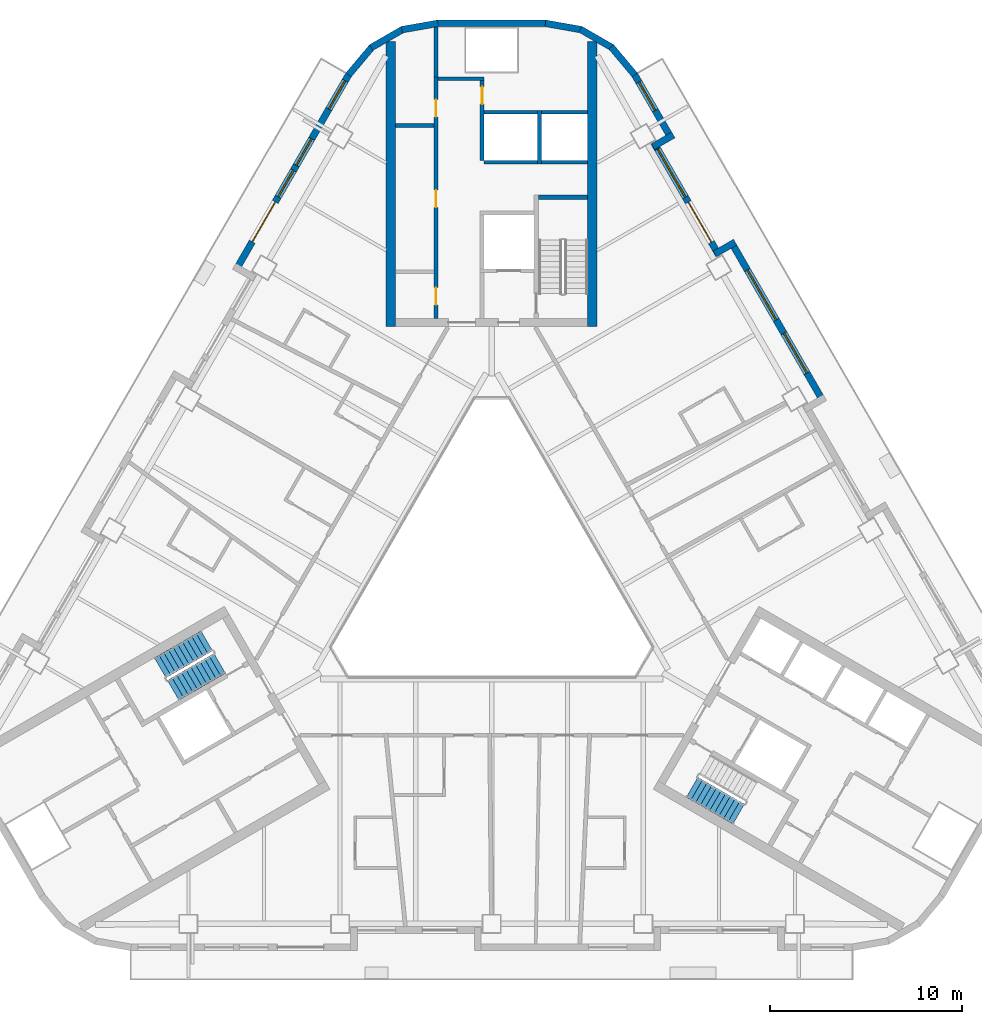
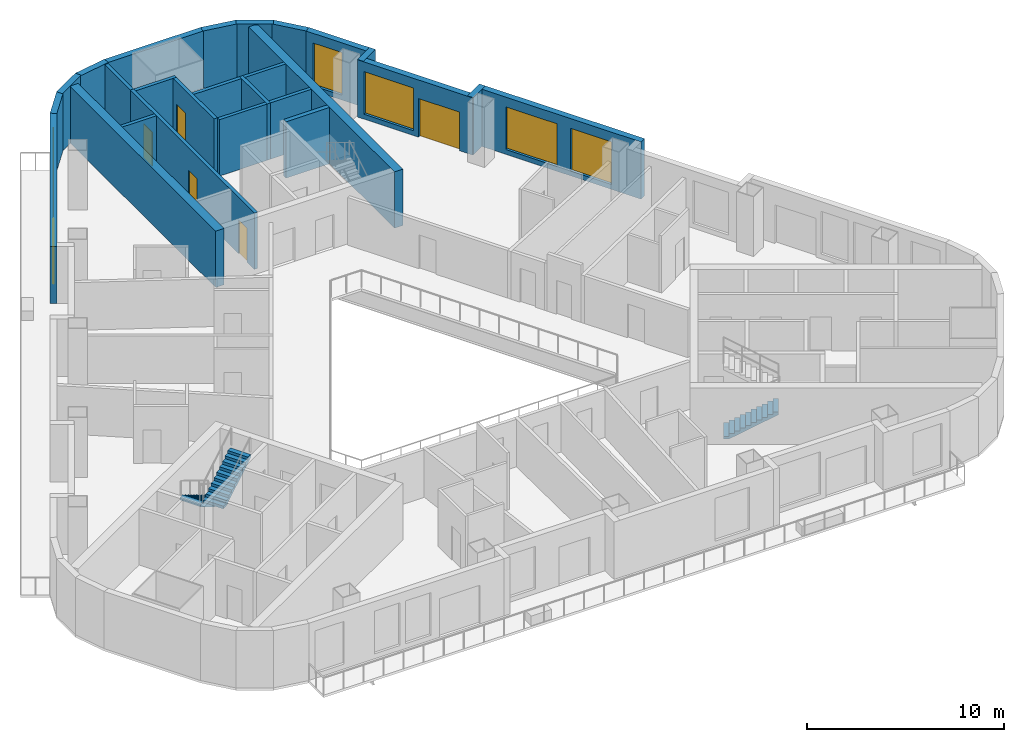
# One storey, part 7 of 14: 26 walls, 7 windows, 6 doors, 3 stair flights, 13 openings, 2 elements without a shape of their own.
"""IFC4 building model written with IfcOpenShell, lengths in metres."""

from ifc_helpers import new_model, si_unit, direction, frame, frame_2d, origin, place, context, subcontext, project, spatial, polyline, rectangle, outline, extrude, material, layer, layer_set, type_object, element, fill, aggregate, save


model = new_model("IFC4")

# Units and contexts
model_context = context("Model", 3, precision=1e-05, world=origin(), true_north=direction((0.0, 1.0)))
body_context = subcontext(model_context, "Body", "Model", "MODEL_VIEW")
ifc_project = project(units=[si_unit("LENGTHUNIT", "METRE"), si_unit("AREAUNIT", "SQUARE_METRE"), si_unit("VOLUMEUNIT", "CUBIC_METRE"), si_unit("PLANEANGLEUNIT", "RADIAN"), si_unit("MASSUNIT", "GRAM", prefix="KILO")], contexts=[model_context])

# Site, building, storey
site_placement = place(None, origin())
site = spatial("IfcSite", under=ifc_project, at=site_placement, CompositionType="ELEMENT")
building_placement = place(site_placement, origin())
building = spatial("IfcBuilding", under=site, at=building_placement, Name="Apuvela Tower Hotel", CompositionType="ELEMENT")
storey_placement = place(building_placement, frame((0.0, 0.0, 72.39990234375)))
storey = spatial("IfcBuildingStorey", under=building, at=storey_placement, Name="L15", CompositionType="ELEMENT", Elevation=72.39990234375)

# Walls
ifc_material_1 = material(Name="Concrete C50/60", Category="concrete")
ifc_layer_1 = layer(ifc_material_1, 0.5)
ifc_layer_set_1 = layer_set([ifc_layer_1], Name="COR-WALL-CORE-500")
wall_type_1 = type_object("IfcWallType", Name="COR-WALL-CORE-500", PredefinedType="SHEAR", material=ifc_layer_set_1)
for number, where, z_axis, x_axis, name in (
    (1, (5.25, 12.89990234375, 0.0), (0.0, 0.0, 1.0), (0.0, 1.0, 0.0), "Core wall N"),
    (2, (-5.25, 12.89990234375, 0.0), (0.0, 0.0, 1.0), (0.0, 1.0, 0.0), "Core wall N"),
):
    element("IfcWall", number, at=place(storey_placement, frame(where, z_axis=z_axis, x_axis=x_axis)), inside=storey, type_object=wall_type_1, Name=name, PredefinedType="SHEAR", context=body_context, shape_type="SweptSolid", body=[
        extrude(rectangle(XDim=14.8369140625, YDim=0.5, at=frame_2d((7.41845703125, 0.0))), origin(), (0.0, 0.0, 1.0), 3.5),
    ])
ifc_material_2 = material(Name="Blockwork 200 mm plastered", Category="masonry")
ifc_layer_2 = layer(ifc_material_2, 0.199951171875)
ifc_layer_set_2 = layer_set([ifc_layer_2], Name="COR-WALL-PART-200")
wall_type_2 = type_object("IfcWallType", Name="COR-WALL-PART-200", PredefinedType="PARTITIONING", material=ifc_layer_set_2)
wall_1_placement = place(storey_placement, frame((5.0, 21.449951171875, 0.0), z_axis=(0.0, 0.0, 1.0), x_axis=(-1.0, 0.0, 0.0)))
element("IfcWall", 3, at=wall_1_placement, inside=storey, type_object=wall_type_2, Name="Partition N", PredefinedType="PARTITIONING", context=body_context, shape_type="SweptSolid", body=[
    extrude(rectangle(XDim=2.39990234375, YDim=0.199951171875, at=frame_2d((1.199951171875, 0.0))), origin(), (0.0, 0.0, 1.0), 3.5),
])
wall_2_placement = place(storey_placement, frame((2.39990234375, 21.449951171875, 0.0), z_axis=(0.0, 0.0, 1.0), x_axis=(-1.0, 0.0, 0.0)))
element("IfcWall", 4, at=wall_2_placement, inside=storey, type_object=wall_type_2, Name="Partition N", PredefinedType="PARTITIONING", context=body_context, shape_type="SweptSolid", body=[
    extrude(rectangle(XDim=2.7998046875, YDim=0.199951171875, at=frame_2d((1.39990234375, 0.0))), origin(), (0.0, 0.0, 1.0), 3.5),
])

# Wall, openings, doors
ifc_layer_3 = layer(ifc_material_1, 0.199951171875)
ifc_layer_set_3 = layer_set([ifc_layer_3], Name="COR-WALL-SHAFT-200")
wall_type_3 = type_object("IfcWallType", Name="COR-WALL-SHAFT-200", PredefinedType="SHEAR", material=ifc_layer_set_3)
wall_3_placement = place(storey_placement, frame((-2.89990234375, 13.300048828125, 0.0), z_axis=(0.0, 0.0, 1.0), x_axis=(0.0, 1.0, 0.0)))
wall_3 = element("IfcWall", 5, at=wall_3_placement, inside=storey, type_object=wall_type_3, Name="Shaft wall N", PredefinedType="SHEAR", context=body_context, shape_type="SweptSolid", body=[
    extrude(rectangle(XDim=12.599853515625, YDim=0.199951171875, at=frame_2d((6.2998046875, 0.0))), origin(), (0.0, 0.0, 1.0), 3.5),
])
opening_1_placement = place(wall_3_placement, frame((0.719970703125, 0.0, 0.0)))
opening_1 = element("IfcOpeningElement", 6, at=opening_1_placement, cuts=wall_3, Name="Opening N-RE1", PredefinedType="OPENING", context=body_context, shape_type="SweptSolid", body=[
    extrude(rectangle(XDim=0.89990234375, YDim=2.10009765625, at=frame_2d((0.449951171875, 1.050048828125))), frame((0.0, 0.10986328125, 0.0), z_axis=(0.0, -1.0, 0.0), x_axis=(1.0, 0.0, 0.0)), (0.0, 0.0, 1.0), 0.219970703125),
])
opening_2_placement = place(wall_3_placement, frame((5.800048828125, 0.0, 0.0)))
opening_2 = element("IfcOpeningElement", 7, at=opening_2_placement, cuts=wall_3, Name="Opening N-RE2", PredefinedType="OPENING", context=body_context, shape_type="SweptSolid", body=[
    extrude(rectangle(XDim=0.89990234375, YDim=2.10009765625, at=frame_2d((0.449951171875, 1.050048828125))), frame((0.0, 0.10986328125, 0.0), z_axis=(0.0, -1.0, 0.0), x_axis=(1.0, 0.0, 0.0)), (0.0, 0.0, 1.0), 0.219970703125),
])
opening_3_placement = place(wall_3_placement, frame((10.510009765625, 0.0, 0.0)))
opening_3 = element("IfcOpeningElement", 8, at=opening_3_placement, cuts=wall_3, Name="Opening N-REP", PredefinedType="OPENING", context=body_context, shape_type="SweptSolid", body=[
    extrude(rectangle(XDim=0.89990234375, YDim=2.10009765625, at=frame_2d((0.449951171875, 1.050048828125))), frame((0.0, 0.10986328125, 0.0), z_axis=(0.0, -1.0, 0.0), x_axis=(1.0, 0.0, 0.0)), (0.0, 0.0, 1.0), 0.219970703125),
])
ifc_material_3 = material(Name="Steel fire door, powder coated", Category="steel")
door_type_1 = type_object("IfcDoorType", Name="COR-DR-900", OperationType="NOTDEFINED", PredefinedType="DOOR", material=ifc_material_3)
door_1_placement = place(opening_1_placement, origin())
door_1 = element("IfcDoor", 9, at=door_1_placement, inside=storey, type_object=door_type_1, Name="Store door N-RE1", OperationType="SINGLE_SWING_LEFT", OverallHeight=2.10009765625, OverallWidth=0.89990234375, PredefinedType="DOOR", context=body_context, shape_type="SweptSolid", body=[
    extrude(rectangle(XDim=0.89990234375, YDim=2.10009765625, at=frame_2d((0.449951171875, 1.050048828125))), frame((0.0, 0.02490234375, 0.0), z_axis=(0.0, -1.0, 0.0), x_axis=(1.0, 0.0, 0.0)), (0.0, 0.0, 1.0), 0.050048828125),
])
fill(opening_1, door_1)
door_2_placement = place(opening_2_placement, origin())
door_2 = element("IfcDoor", 10, at=door_2_placement, inside=storey, type_object=door_type_1, Name="Store door N-RE2", OperationType="SINGLE_SWING_RIGHT", OverallHeight=2.10009765625, OverallWidth=0.89990234375, PredefinedType="DOOR", context=body_context, shape_type="SweptSolid", body=[
    extrude(rectangle(XDim=0.89990234375, YDim=2.10009765625, at=frame_2d((0.449951171875, 1.050048828125))), frame((0.0, 0.02490234375, 0.0), z_axis=(0.0, -1.0, 0.0), x_axis=(1.0, 0.0, 0.0)), (0.0, 0.0, 1.0), 0.050048828125),
])
fill(opening_2, door_2)
door_3_placement = place(opening_3_placement, origin())
door_3 = element("IfcDoor", 11, at=door_3_placement, inside=storey, type_object=door_type_1, Name="Store door N-REP", OperationType="SINGLE_SWING_RIGHT", OverallHeight=2.10009765625, OverallWidth=0.89990234375, PredefinedType="DOOR", context=body_context, shape_type="SweptSolid", body=[
    extrude(rectangle(XDim=0.89990234375, YDim=2.10009765625, at=frame_2d((0.449951171875, 1.050048828125))), frame((0.0, 0.02490234375, 0.0), z_axis=(0.0, -1.0, 0.0), x_axis=(1.0, 0.0, 0.0)), (0.0, 0.0, 1.0), 0.050048828125),
])
fill(opening_3, door_3)

# Wall
wall_4_placement = place(storey_placement, frame((-0.39990234375, 25.800048828125, 0.0), z_axis=(0.0, 0.0, 1.0), x_axis=(-1.0, 0.0, 0.0)))
element("IfcWall", 12, at=wall_4_placement, inside=storey, type_object=wall_type_3, Name="Shaft wall N", PredefinedType="SHEAR", context=body_context, shape_type="SweptSolid", body=[
    extrude(rectangle(XDim=2.400146484375, YDim=0.199951171875, at=frame_2d((1.2001953125, 0.0))), origin(), (0.0, 0.0, 1.0), 3.5),
])

# Wall, opening, door
wall_5_placement = place(storey_placement, frame((-0.5, 21.550048828125, 0.0), z_axis=(0.0, 0.0, 1.0), x_axis=(0.0, 1.0, 0.0)))
wall_5 = element("IfcWall", 13, at=wall_5_placement, inside=storey, type_object=wall_type_3, Name="Shaft wall N", PredefinedType="SHEAR", context=body_context, shape_type="SweptSolid", body=[
    extrude(rectangle(XDim=4.14990234375, YDim=0.199951171875, at=frame_2d((2.074951171875, 0.0))), origin(), (0.0, 0.0, 1.0), 3.5),
])
opening_4_placement = place(wall_5_placement, frame((2.925048828125, 0.0, 0.0)))
opening_4 = element("IfcOpeningElement", 14, at=opening_4_placement, cuts=wall_5, Name="Opening N-RSP", PredefinedType="OPENING", context=body_context, shape_type="SweptSolid", body=[
    extrude(rectangle(XDim=0.89990234375, YDim=2.10009765625, at=frame_2d((0.449951171875, 1.050048828125))), frame((0.0, 0.10986328125, 0.0), z_axis=(0.0, -1.0, 0.0), x_axis=(1.0, 0.0, 0.0)), (0.0, 0.0, 1.0), 0.219970703125),
])
door_4_placement = place(opening_4_placement, frame((0.89990234375, 0.0, 0.0), z_axis=(0.0, 0.0, 1.0), x_axis=(-1.0, 0.0, 0.0)))
door_4 = element("IfcDoor", 15, at=door_4_placement, inside=storey, type_object=door_type_1, Name="Store door N-RSP", OperationType="SINGLE_SWING_LEFT", OverallHeight=2.10009765625, OverallWidth=0.89990234375, PredefinedType="DOOR", context=body_context, shape_type="SweptSolid", body=[
    extrude(rectangle(XDim=0.89990234375, YDim=2.10009765625, at=frame_2d((0.449951171875, 1.050048828125))), frame((0.0, 0.02490234375, 0.0), z_axis=(0.0, -1.0, 0.0), x_axis=(1.0, 0.0, 0.0)), (0.0, 0.0, 1.0), 0.050048828125),
])
fill(opening_4, door_4)

# Walls
wall_6_placement = place(storey_placement, frame((-3.0, 23.360107421875, 0.0), z_axis=(0.0, 0.0, 1.0), x_axis=(-1.0, 0.0, 0.0)))
element("IfcWall", 16, at=wall_6_placement, inside=storey, type_object=wall_type_3, Name="Shaft wall N", PredefinedType="SHEAR", context=body_context, shape_type="SweptSolid", body=[
    extrude(rectangle(XDim=2.0, YDim=0.199951171875, at=frame_2d((1.0, 0.0))), origin(), (0.0, 0.0, 1.0), 3.5),
])
wall_7_placement = place(storey_placement, frame((-2.89990234375, 25.89990234375, 0.0), z_axis=(0.0, 0.0, 1.0), x_axis=(0.0, 1.0, 0.0)))
element("IfcWall", 17, at=wall_7_placement, inside=storey, type_object=wall_type_3, Name="Shaft wall N", PredefinedType="SHEAR", context=body_context, shape_type="SweptSolid", body=[
    extrude(rectangle(XDim=2.60009765625, YDim=0.199951171875, at=frame_2d((1.300048828125, 0.0))), origin(), (0.0, 0.0, 1.0), 3.5),
])
wall_8_placement = place(storey_placement, frame((2.5, 21.35009765625, 0.0), z_axis=(0.0, 0.0, 1.0), x_axis=(0.0, 1.0, 0.0)))
element("IfcWall", 18, at=wall_8_placement, inside=storey, type_object=wall_type_3, Name="Shaft wall N", PredefinedType="SHEAR", context=body_context, shape_type="SweptSolid", body=[
    extrude(rectangle(XDim=2.7998046875, YDim=0.199951171875, at=frame_2d((1.39990234375, 0.0))), origin(), (0.0, 0.0, 1.0), 3.5),
])
wall_9_placement = place(storey_placement, frame((5.0, 24.050048828125, 0.0), z_axis=(0.0, 0.0, 1.0), x_axis=(-1.0, 0.0, 0.0)))
element("IfcWall", 19, at=wall_9_placement, inside=storey, type_object=wall_type_3, Name="Shaft wall N", PredefinedType="SHEAR", context=body_context, shape_type="SweptSolid", body=[
    extrude(rectangle(XDim=2.39990234375, YDim=0.199951171875, at=frame_2d((1.199951171875, 0.0))), origin(), (0.0, 0.0, 1.0), 3.5),
])
wall_10_placement = place(storey_placement, frame((2.39990234375, 24.050048828125, 0.0), z_axis=(0.0, 0.0, 1.0), x_axis=(-1.0, 0.0, 0.0)))
element("IfcWall", 20, at=wall_10_placement, inside=storey, type_object=wall_type_3, Name="Shaft wall N", PredefinedType="SHEAR", context=body_context, shape_type="SweptSolid", body=[
    extrude(rectangle(XDim=2.7998046875, YDim=0.199951171875, at=frame_2d((1.39990234375, 0.0))), origin(), (0.0, 0.0, 1.0), 3.5),
])
ifc_layer_4 = layer(ifc_material_1, 0.25)
ifc_layer_set_4 = layer_set([ifc_layer_4], Name="COR-WALL-STAIR-250")
wall_type_4 = type_object("IfcWallType", Name="COR-WALL-STAIR-250", PredefinedType="SHEAR", material=ifc_layer_set_4)
wall_11_placement = place(storey_placement, frame((5.0, 19.625, 0.0), z_axis=(0.0, 0.0, 1.0), x_axis=(-1.0, 0.0, 0.0)))
element("IfcWall", 21, at=wall_11_placement, inside=storey, type_object=wall_type_4, Name="Stair wall N", PredefinedType="SHEAR", context=body_context, shape_type="SweptSolid", body=[
    extrude(rectangle(XDim=2.550048828125, YDim=0.25, at=frame_2d((1.27490234375, 0.0))), origin(), (0.0, 0.0, 1.0), 3.5),
])

# Wall, openings, door, windows
ifc_material_4 = material(Name="Concrete C40/50, dark pigmented precast panel", Category="concrete")
ifc_layer_5 = layer(ifc_material_4, 0.35009765625)
ifc_layer_set_5 = layer_set([ifc_layer_5], Name="ENV-WALL-350")
wall_type_5 = type_object("IfcWallType", Name="ENV-WALL-350", PredefinedType="SOLIDWALL", material=ifc_layer_set_5)
wall_12_placement = place(storey_placement, frame((-7.440673828125, 26.0224609375, 0.0), z_axis=(0.0, 0.0, 1.0), x_axis=(-0.499992533062, -0.86602971478, 0.0)))
wall_12 = element("IfcWall", 22, at=wall_12_placement, inside=storey, type_object=wall_type_5, Name="External wall L15-01", PredefinedType="SOLIDWALL", context=body_context, shape_type="SweptSolid", body=[
    extrude(rectangle(XDim=11.815673828125, YDim=0.35009765625, at=frame_2d((5.90771484375, 0.0))), origin(), (0.0, 0.0, 1.0), 3.550048828125),
])
opening_5_placement = place(wall_12_placement, frame((0.381103515625, 0.0, 0.300048828125)))
opening_5 = element("IfcOpeningElement", 23, at=opening_5_placement, cuts=wall_12, Name="Opening WN17", PredefinedType="OPENING", context=body_context, shape_type="SweptSolid", body=[
    extrude(rectangle(XDim=1.699951171875, YDim=2.64990234375, at=frame_2d((0.85009765625, 1.324951171875))), frame((0.0, 0.18505859375, 0.0), z_axis=(0.0, -1.0, 0.0), x_axis=(1.0, 0.0, 0.0)), (0.0, 0.0, 1.0), 0.3701171875),
])
opening_6_placement = place(wall_12_placement, frame((7.66552734375, 0.0, 0.0)))
opening_6 = element("IfcOpeningElement", 24, at=opening_6_placement, cuts=wall_12, Name="Opening BD24", PredefinedType="OPENING", context=body_context, shape_type="SweptSolid", body=[
    extrude(rectangle(XDim=2.39990234375, YDim=2.39990234375, at=frame_2d((1.199951171875, 1.199951171875))), frame((0.0, 0.18505859375, 0.0), z_axis=(0.0, -1.0, 0.0), x_axis=(1.0, 0.0, 0.0)), (0.0, 0.0, 1.0), 0.3701171875),
])
opening_7_placement = place(wall_12_placement, frame((3.865478515625, 0.0, 0.300048828125)))
opening_7 = element("IfcOpeningElement", 25, at=opening_7_placement, cuts=wall_12, Name="Opening WN16", PredefinedType="OPENING", context=body_context, shape_type="SweptSolid", body=[
    extrude(rectangle(XDim=1.60009765625, YDim=2.64990234375, at=frame_2d((0.800048828125, 1.324951171875))), frame((0.0, 0.18505859375, 0.0), z_axis=(0.0, -1.0, 0.0), x_axis=(1.0, 0.0, 0.0)), (0.0, 0.0, 1.0), 0.3701171875),
])
opening_8_placement = place(wall_12_placement, frame((5.765380859375, 0.0, 0.300048828125)))
opening_8 = element("IfcOpeningElement", 26, at=opening_8_placement, cuts=wall_12, Name="Opening WN16", PredefinedType="OPENING", context=body_context, shape_type="SweptSolid", body=[
    extrude(rectangle(XDim=1.60009765625, YDim=2.64990234375, at=frame_2d((0.800048828125, 1.324951171875))), frame((0.0, 0.18505859375, 0.0), z_axis=(0.0, -1.0, 0.0), x_axis=(1.0, 0.0, 0.0)), (0.0, 0.0, 1.0), 0.3701171875),
])
ifc_material_5 = material(Name="Aluminium 6063-T6, dark bronze anodised frame with dark tinted laminated glass", Category="aluminium")
door_type_2 = type_object("IfcDoorType", Name="ENV-DOOR-BALCONY-2400x2400", OperationType="SLIDING_TO_LEFT", PredefinedType="DOOR", material=ifc_material_5)
door_5_placement = place(opening_6_placement, frame((2.39990234375, 0.0, 0.0), z_axis=(0.0, 0.0, 1.0), x_axis=(-1.0, 0.0, 0.0)))
door_5 = element("IfcDoor", 27, at=door_5_placement, inside=storey, type_object=door_type_2, Name="Balcony door BD24", OperationType="SLIDING_TO_LEFT", OverallHeight=2.39990234375, OverallWidth=2.39990234375, PredefinedType="DOOR", context=body_context, shape_type="SweptSolid", body=[
    extrude(rectangle(XDim=2.39990234375, YDim=2.39990234375, at=frame_2d((1.199951171875, 1.199951171875))), frame((0.0, 0.02490234375, 0.0), z_axis=(0.0, -1.0, 0.0), x_axis=(1.0, 0.0, 0.0)), (0.0, 0.0, 1.0), 0.050048828125),
])
fill(opening_6, door_5)
ifc_material_6 = material(Name="Glass, dark tinted laminated insulated glazing unit", Category="glass")
window_type_1 = type_object("IfcWindowType", Name="ENV-WIN-1600x2650", PartitioningType="SINGLE_PANEL", PredefinedType="WINDOW", material=ifc_material_6)
window_1_placement = place(opening_7_placement, origin())
window_1 = element("IfcWindow", 28, at=window_1_placement, inside=storey, type_object=window_type_1, Name="Window WN16", OverallHeight=2.64990234375, OverallWidth=1.60009765625, PartitioningType="SINGLE_PANEL", PredefinedType="WINDOW", context=body_context, shape_type="SweptSolid", body=[
    extrude(rectangle(XDim=1.60009765625, YDim=2.64990234375, at=frame_2d((0.800048828125, 1.324951171875))), frame((0.0, 0.030029296875, 0.0), z_axis=(0.0, -1.0, 0.0), x_axis=(1.0, 0.0, 0.0)), (0.0, 0.0, 1.0), 0.06005859375),
])
fill(opening_7, window_1)
window_2_placement = place(opening_8_placement, origin())
window_2 = element("IfcWindow", 29, at=window_2_placement, inside=storey, type_object=window_type_1, Name="Window WN16", OverallHeight=2.64990234375, OverallWidth=1.60009765625, PartitioningType="SINGLE_PANEL", PredefinedType="WINDOW", context=body_context, shape_type="SweptSolid", body=[
    extrude(rectangle(XDim=1.60009765625, YDim=2.64990234375, at=frame_2d((0.800048828125, 1.324951171875))), frame((0.0, 0.030029296875, 0.0), z_axis=(0.0, -1.0, 0.0), x_axis=(1.0, 0.0, 0.0)), (0.0, 0.0, 1.0), 0.06005859375),
])
fill(opening_8, window_2)
window_type_2 = type_object("IfcWindowType", Name="ENV-WIN-1700x2650", PartitioningType="SINGLE_PANEL", PredefinedType="WINDOW", material=ifc_material_6)
window_3_placement = place(opening_5_placement, origin())
window_3 = element("IfcWindow", 30, at=window_3_placement, inside=storey, type_object=window_type_2, Name="Window WN17", OverallHeight=2.64990234375, OverallWidth=1.699951171875, PartitioningType="SINGLE_PANEL", PredefinedType="WINDOW", context=body_context, shape_type="SweptSolid", body=[
    extrude(rectangle(XDim=1.699951171875, YDim=2.64990234375, at=frame_2d((0.85009765625, 1.324951171875))), frame((0.0, 0.030029296875, 0.0), z_axis=(0.0, -1.0, 0.0), x_axis=(1.0, 0.0, 0.0)), (0.0, 0.0, 1.0), 0.06005859375),
])
fill(opening_5, window_3)

# Wall, openings, windows
wall_13_placement = place(storey_placement, frame((17.298583984375, 8.947998046875, 0.0), z_axis=(0.0, 0.0, 1.0), x_axis=(-0.500010041276, 0.866019606374, 0.0)))
wall_13 = element("IfcWall", 31, at=wall_13_placement, inside=storey, type_object=wall_type_5, Name="External wall L15-37", PredefinedType="SOLIDWALL", context=body_context, shape_type="SweptSolid", body=[
    extrude(rectangle(XDim=9.699951171875, YDim=0.35009765625, at=frame_2d((4.85009765625, 0.0))), origin(), (0.0, 0.0, 1.0), 3.550048828125),
])
opening_9_placement = place(wall_13_placement, frame((1.75, 0.0, 0.300048828125)))
opening_9 = element("IfcOpeningElement", 32, at=opening_9_placement, cuts=wall_13, Name="Opening WN24", PredefinedType="OPENING", context=body_context, shape_type="SweptSolid", body=[
    extrude(rectangle(XDim=2.39990234375, YDim=2.64990234375, at=frame_2d((1.199951171875, 1.324951171875))), frame((0.0, 0.18505859375, 0.0), z_axis=(0.0, -1.0, 0.0), x_axis=(1.0, 0.0, 0.0)), (0.0, 0.0, 1.0), 0.3701171875),
])
opening_10_placement = place(wall_13_placement, frame((4.94921875, 0.0, 0.300048828125)))
opening_10 = element("IfcOpeningElement", 33, at=opening_10_placement, cuts=wall_13, Name="Opening WN30", PredefinedType="OPENING", context=body_context, shape_type="SweptSolid", body=[
    extrude(rectangle(XDim=3.0, YDim=2.64990234375, at=frame_2d((1.5, 1.324951171875))), frame((0.0, 0.18505859375, 0.0), z_axis=(0.0, -1.0, 0.0), x_axis=(1.0, 0.0, 0.0)), (0.0, 0.0, 1.0), 0.3701171875),
])
window_type_3 = type_object("IfcWindowType", Name="ENV-WIN-2400x2650", PartitioningType="SINGLE_PANEL", PredefinedType="WINDOW", material=ifc_material_6)
window_4_placement = place(opening_9_placement, origin())
window_4 = element("IfcWindow", 34, at=window_4_placement, inside=storey, type_object=window_type_3, Name="Window WN24", OverallHeight=2.64990234375, OverallWidth=2.39990234375, PartitioningType="SINGLE_PANEL", PredefinedType="WINDOW", context=body_context, shape_type="SweptSolid", body=[
    extrude(rectangle(XDim=2.39990234375, YDim=2.64990234375, at=frame_2d((1.199951171875, 1.324951171875))), frame((0.0, 0.030029296875, 0.0), z_axis=(0.0, -1.0, 0.0), x_axis=(1.0, 0.0, 0.0)), (0.0, 0.0, 1.0), 0.06005859375),
])
fill(opening_9, window_4)
window_type_4 = type_object("IfcWindowType", Name="ENV-WIN-3000x2650", PartitioningType="SINGLE_PANEL", PredefinedType="WINDOW", material=ifc_material_6)
window_5_placement = place(opening_10_placement, origin())
window_5 = element("IfcWindow", 35, at=window_5_placement, inside=storey, type_object=window_type_4, Name="Window WN30", OverallHeight=2.64990234375, OverallWidth=3.0, PartitioningType="SINGLE_PANEL", PredefinedType="WINDOW", context=body_context, shape_type="SweptSolid", body=[
    extrude(rectangle(XDim=3.0, YDim=2.64990234375, at=frame_2d((1.5, 1.324951171875))), frame((0.0, 0.030029296875, 0.0), z_axis=(0.0, -1.0, 0.0), x_axis=(1.0, 0.0, 0.0)), (0.0, 0.0, 1.0), 0.06005859375),
])
fill(opening_10, window_5)

# Wall
wall_14_placement = place(storey_placement, frame((12.6875, 17.284423828125, 0.0), z_axis=(0.0, 0.0, 1.0), x_axis=(-0.865955602162, -0.500120880472, 0.0)))
element("IfcWall", 36, at=wall_14_placement, inside=storey, type_object=wall_type_5, Name="External wall L15-38", PredefinedType="SOLIDWALL", context=body_context, shape_type="SweptSolid", body=[
    extrude(rectangle(XDim=1.219970703125, YDim=0.35009765625, at=frame_2d((0.60986328125, 0.0))), origin(), (0.0, 0.0, 1.0), 3.550048828125),
])

# Wall, openings, door, window
wall_15_placement = place(storey_placement, frame((11.8291015625, 16.621337890625, 0.0), z_axis=(0.0, 0.0, 1.0), x_axis=(-0.500003597184, 0.866023326939, 0.0)))
wall_15 = element("IfcWall", 37, at=wall_15_placement, inside=storey, type_object=wall_type_5, Name="External wall L15-39", PredefinedType="SOLIDWALL", context=body_context, shape_type="SweptSolid", body=[
    extrude(rectangle(XDim=6.740234375, YDim=0.35009765625, at=frame_2d((3.3701171875, 0.0))), origin(), (0.0, 0.0, 1.0), 3.550048828125),
])
opening_11_placement = place(wall_15_placement, frame((0.77001953125, 0.0, 0.0)))
opening_11 = element("IfcOpeningElement", 38, at=opening_11_placement, cuts=wall_15, Name="Opening BD24", PredefinedType="OPENING", context=body_context, shape_type="SweptSolid", body=[
    extrude(rectangle(XDim=2.39990234375, YDim=2.39990234375, at=frame_2d((1.199951171875, 1.199951171875))), frame((0.0, 0.18505859375, 0.0), z_axis=(0.0, -1.0, 0.0), x_axis=(1.0, 0.0, 0.0)), (0.0, 0.0, 1.0), 0.3701171875),
])
opening_12_placement = place(wall_15_placement, frame((3.469970703125, 0.0, 0.300048828125)))
opening_12 = element("IfcOpeningElement", 39, at=opening_12_placement, cuts=wall_15, Name="Opening WN29", PredefinedType="OPENING", context=body_context, shape_type="SweptSolid", body=[
    extrude(rectangle(XDim=2.89990234375, YDim=2.64990234375, at=frame_2d((1.449951171875, 1.324951171875))), frame((0.0, 0.18505859375, 0.0), z_axis=(0.0, -1.0, 0.0), x_axis=(1.0, 0.0, 0.0)), (0.0, 0.0, 1.0), 0.3701171875),
])
door_6_placement = place(opening_11_placement, frame((2.39990234375, 0.0, 0.0), z_axis=(0.0, 0.0, 1.0), x_axis=(-1.0, 0.0, 0.0)))
door_6 = element("IfcDoor", 40, at=door_6_placement, inside=storey, type_object=door_type_2, Name="Balcony door BD24", OperationType="SLIDING_TO_LEFT", OverallHeight=2.39990234375, OverallWidth=2.39990234375, PredefinedType="DOOR", context=body_context, shape_type="SweptSolid", body=[
    extrude(rectangle(XDim=2.39990234375, YDim=2.39990234375, at=frame_2d((1.199951171875, 1.199951171875))), frame((0.0, 0.02490234375, 0.0), z_axis=(0.0, -1.0, 0.0), x_axis=(1.0, 0.0, 0.0)), (0.0, 0.0, 1.0), 0.050048828125),
])
fill(opening_11, door_6)
window_type_5 = type_object("IfcWindowType", Name="ENV-WIN-2900x2650", PartitioningType="SINGLE_PANEL", PredefinedType="WINDOW", material=ifc_material_6)
window_6_placement = place(opening_12_placement, origin())
window_6 = element("IfcWindow", 41, at=window_6_placement, inside=storey, type_object=window_type_5, Name="Window WN29", OverallHeight=2.64990234375, OverallWidth=2.89990234375, PartitioningType="SINGLE_PANEL", PredefinedType="WINDOW", context=body_context, shape_type="SweptSolid", body=[
    extrude(rectangle(XDim=2.89990234375, YDim=2.64990234375, at=frame_2d((1.449951171875, 1.324951171875))), frame((0.0, 0.030029296875, 0.0), z_axis=(0.0, -1.0, 0.0), x_axis=(1.0, 0.0, 0.0)), (0.0, 0.0, 1.0), 0.06005859375),
])
fill(opening_12, window_6)

# Wall
wall_16_placement = place(storey_placement, frame((8.406005859375, 22.26025390625, 0.0), z_axis=(0.0, 0.0, 1.0), x_axis=(0.865955602162, 0.500120880472, 0.0)))
element("IfcWall", 42, at=wall_16_placement, inside=storey, type_object=wall_type_5, Name="External wall L15-40", PredefinedType="SOLIDWALL", context=body_context, shape_type="SweptSolid", body=[
    extrude(rectangle(XDim=1.219970703125, YDim=0.35009765625, at=frame_2d((0.60986328125, 0.0))), origin(), (0.0, 0.0, 1.0), 3.550048828125),
])

# Wall, opening, window
wall_17_placement = place(storey_placement, frame((9.3984375, 22.631103515625, 0.0), z_axis=(0.0, 0.0, 1.0), x_axis=(-0.499954521343, 0.866051659307, 0.0)))
wall_17 = element("IfcWall", 43, at=wall_17_placement, inside=storey, type_object=wall_type_5, Name="External wall L15-41", PredefinedType="SOLIDWALL", context=body_context, shape_type="SweptSolid", body=[
    extrude(rectangle(XDim=3.915771484375, YDim=0.35009765625, at=frame_2d((1.9580078125, 0.0))), origin(), (0.0, 0.0, 1.0), 3.550048828125),
])
opening_13_placement = place(wall_17_placement, frame((1.749755859375, 0.0, 0.300048828125)))
opening_13 = element("IfcOpeningElement", 44, at=opening_13_placement, cuts=wall_17, Name="Opening WN17", PredefinedType="OPENING", context=body_context, shape_type="SweptSolid", body=[
    extrude(rectangle(XDim=1.699951171875, YDim=2.64990234375, at=frame_2d((0.85009765625, 1.324951171875))), frame((0.0, 0.18505859375, 0.0), z_axis=(0.0, -1.0, 0.0), x_axis=(1.0, 0.0, 0.0)), (0.0, 0.0, 1.0), 0.3701171875),
])
window_7_placement = place(opening_13_placement, origin())
window_7 = element("IfcWindow", 45, at=window_7_placement, inside=storey, type_object=window_type_2, Name="Window WN17", OverallHeight=2.64990234375, OverallWidth=1.699951171875, PartitioningType="SINGLE_PANEL", PredefinedType="WINDOW", context=body_context, shape_type="SweptSolid", body=[
    extrude(rectangle(XDim=1.699951171875, YDim=2.64990234375, at=frame_2d((0.85009765625, 1.324951171875))), frame((0.0, 0.030029296875, 0.0), z_axis=(0.0, -1.0, 0.0), x_axis=(1.0, 0.0, 0.0)), (0.0, 0.0, 1.0), 0.06005859375),
])
fill(opening_13, window_7)

# Walls
wall_18_placement = place(storey_placement, frame((7.4580078125, 25.99755859375, 0.0), z_axis=(0.0, 0.0, 1.0), x_axis=(-0.642808304945, 0.766027077259, 0.0)))
element("IfcWall", 46, at=wall_18_placement, inside=storey, type_object=wall_type_5, Name="External wall L15-42", PredefinedType="SOLIDWALL", context=body_context, shape_type="SweptSolid", body=[
    extrude(rectangle(XDim=1.909912109375, YDim=0.35009765625, at=frame_2d((0.955078125, 0.0))), origin(), (0.0, 0.0, 1.0), 3.550048828125),
])
for number, where, z_axis, x_axis, name in (
    (47, (6.27685546875, 27.421630859375, 0.0), (0.0, 0.0, 1.0), (-0.866032345022, 0.499987977232, 0.0), "External wall L15-43"),
    (48, (4.6796875, 28.35595703125, 0.0), (0.0, 0.0, 1.0), (-0.984798995425, 0.173697837091, 0.0), "External wall L15-44"),
):
    element("IfcWall", number, at=place(storey_placement, frame(where, z_axis=z_axis, x_axis=x_axis)), inside=storey, type_object=wall_type_5, Name=name, PredefinedType="SOLIDWALL", context=body_context, shape_type="SweptSolid", body=[
        extrude(rectangle(XDim=1.91015625, YDim=0.35009765625, at=frame_2d((0.955078125, 0.0))), origin(), (0.0, 0.0, 1.0), 3.550048828125),
    ])
wall_19_placement = place(storey_placement, frame((2.8291015625, 28.68505859375, 0.0), z_axis=(0.0, 0.0, 1.0), x_axis=(-1.0, 0.0, 0.0)))
element("IfcWall", 49, at=wall_19_placement, inside=storey, type_object=wall_type_5, Name="External wall L15-45", PredefinedType="SOLIDWALL", context=body_context, shape_type="SweptSolid", body=[
    extrude(rectangle(XDim=5.658203125, YDim=0.35009765625, at=frame_2d((2.8291015625, 0.0))), origin(), (0.0, 0.0, 1.0), 3.550048828125),
])
for number, where, z_axis, x_axis, name in (
    (50, (-2.798583984375, 28.687744140625, 0.0), (0.0, 0.0, 1.0), (-0.984798995425, -0.173697837091, 0.0), "External wall L15-46"),
    (51, (-4.62255859375, 28.376708984375, 0.0), (0.0, 0.0, 1.0), (-0.866032345022, -0.499987977232, 0.0), "External wall L15-47"),
):
    element("IfcWall", number, at=place(storey_placement, frame(where, z_axis=z_axis, x_axis=x_axis)), inside=storey, type_object=wall_type_5, Name=name, PredefinedType="SOLIDWALL", context=body_context, shape_type="SweptSolid", body=[
        extrude(rectangle(XDim=1.91015625, YDim=0.35009765625, at=frame_2d((0.955078125, 0.0))), origin(), (0.0, 0.0, 1.0), 3.550048828125),
    ])
wall_20_placement = place(storey_placement, frame((-6.230224609375, 27.460693359375, 0.0), z_axis=(0.0, 0.0, 1.0), x_axis=(-0.642808304945, -0.766027077259, 0.0)))
element("IfcWall", 52, at=wall_20_placement, inside=storey, type_object=wall_type_5, Name="External wall L15-48", PredefinedType="SOLIDWALL", context=body_context, shape_type="SweptSolid", body=[
    extrude(rectangle(XDim=1.909912109375, YDim=0.35009765625, at=frame_2d((0.955078125, 0.0))), origin(), (0.0, 0.0, 1.0), 3.550048828125),
])

# Stair, stair flights
stair_type = type_object("IfcStairType", Name="COR-STAIR-22R", PredefinedType="HALF_TURN_STAIR", material=ifc_material_1)
stair_1_placement = place(storey_placement, origin())
stair_1 = element("IfcStair", 53, at=stair_1_placement, inside=storey, type_object=stair_type, Name="L15 Exit stair ST2", PredefinedType="HALF_TURN_STAIR")
stair_flight_type = type_object("IfcStairFlightType", Name="COR-FLIGHT-11R", PredefinedType="STRAIGHT", material=ifc_material_1)
stair_flight_1_placement = place(storey_placement, frame((-14.843994140625, -3.489501953125, 0.0), z_axis=(0.0, 0.0, 1.0), x_axis=(-0.866025403784, -0.5, 0.0)))
stair_flight_1 = element("IfcStairFlight", 54, at=stair_flight_1_placement, type_object=stair_flight_type, Name="ST2 flight 1", NumberOfRisers=11, NumberOfTreads=10, PredefinedType="STRAIGHT", RiserHeight=0.168181818, TreadLength=0.28, context=body_context, shape_type="SweptSolid", body=[
    extrude(outline(polyline([(0.0, 0.0), (0.0, 0.168212890625), (0.280029296875, 0.168212890625), (0.280029296875, 0.33642578125), (0.56005859375, 0.33642578125), (0.56005859375, 0.504638671875), (0.840087890625, 0.504638671875), (0.840087890625, 0.672607421875), (1.1201171875, 0.672607421875), (1.1201171875, 0.8408203125), (1.39990234375, 0.8408203125), (1.39990234375, 1.009033203125), (1.679931640625, 1.009033203125), (1.679931640625, 1.17724609375), (1.9599609375, 1.17724609375), (1.9599609375, 1.345458984375), (2.239990234375, 1.345458984375), (2.239990234375, 1.513671875), (2.52001953125, 1.513671875), (2.52001953125, 1.681884765625), (2.800048828125, 1.681884765625), (2.800048828125, 1.85009765625), (2.800048828125, 1.5068359375), (0.291015625, 0.0), (0.0, 0.0)])), frame((0.0, 0.60009765625, 0.0), z_axis=(0.0, -1.0, 0.0), x_axis=(1.0, 0.0, 0.0)), (0.0, 0.0, 1.0), 1.199951171875),
])
stair_flight_2_placement = place(storey_placement, frame((-16.59375, -6.05859375, 1.85009765625), z_axis=(0.0, 0.0, 1.0), x_axis=(0.866025403784, 0.5, 0.0)))
stair_flight_2 = element("IfcStairFlight", 55, at=stair_flight_2_placement, type_object=stair_flight_type, Name="ST2 flight 2", NumberOfRisers=11, NumberOfTreads=10, PredefinedType="STRAIGHT", RiserHeight=0.168181818, TreadLength=0.28, context=body_context, shape_type="SweptSolid", body=[
    extrude(outline(polyline([(0.0, 0.0), (0.0, 0.168212890625), (0.280029296875, 0.168212890625), (0.280029296875, 0.33642578125), (0.56005859375, 0.33642578125), (0.56005859375, 0.504638671875), (0.840087890625, 0.504638671875), (0.840087890625, 0.672607421875), (1.1201171875, 0.672607421875), (1.1201171875, 0.8408203125), (1.39990234375, 0.8408203125), (1.39990234375, 1.009033203125), (1.679931640625, 1.009033203125), (1.679931640625, 1.17724609375), (1.9599609375, 1.17724609375), (1.9599609375, 1.345458984375), (2.239990234375, 1.345458984375), (2.239990234375, 1.513671875), (2.52001953125, 1.513671875), (2.52001953125, 1.681884765625), (2.800048828125, 1.681884765625), (2.800048828125, 1.85009765625), (2.800048828125, 1.5068359375), (0.291015625, 0.0), (0.0, 0.0)])), frame((0.0, 0.60009765625, 0.0), z_axis=(0.0, -1.0, 0.0), x_axis=(1.0, 0.0, 0.0)), (0.0, 0.0, 1.0), 1.199951171875),
])
aggregate(stair_1, [stair_flight_1, stair_flight_2])

# Stair, stair flight
stair_2_placement = place(storey_placement, origin())
stair_2 = element("IfcStair", 56, at=stair_2_placement, inside=storey, type_object=stair_type, Name="L15 Exit stair ST3", PredefinedType="HALF_TURN_STAIR")
stair_flight_3_placement = place(storey_placement, frame((10.444091796875, -11.110595703125, 0.0), z_axis=(0.0, 0.0, 1.0), x_axis=(0.866025403784, -0.5, 0.0)))
stair_flight_3 = element("IfcStairFlight", 57, at=stair_flight_3_placement, type_object=stair_flight_type, Name="ST3 flight 1", NumberOfRisers=11, NumberOfTreads=10, PredefinedType="STRAIGHT", RiserHeight=0.168181818, TreadLength=0.28, context=body_context, shape_type="SweptSolid", body=[
    extrude(outline(polyline([(0.0, 0.0), (0.0, 0.168212890625), (0.280029296875, 0.168212890625), (0.280029296875, 0.33642578125), (0.56005859375, 0.33642578125), (0.56005859375, 0.504638671875), (0.840087890625, 0.504638671875), (0.840087890625, 0.672607421875), (1.1201171875, 0.672607421875), (1.1201171875, 0.8408203125), (1.39990234375, 0.8408203125), (1.39990234375, 1.009033203125), (1.679931640625, 1.009033203125), (1.679931640625, 1.17724609375), (1.9599609375, 1.17724609375), (1.9599609375, 1.345458984375), (2.239990234375, 1.345458984375), (2.239990234375, 1.513671875), (2.52001953125, 1.513671875), (2.52001953125, 1.681884765625), (2.800048828125, 1.681884765625), (2.800048828125, 1.85009765625), (2.800048828125, 1.5068359375), (0.291015625, 0.0), (0.0, 0.0)])), frame((0.0, 0.60009765625, 0.0), z_axis=(0.0, -1.0, 0.0), x_axis=(1.0, 0.0, 0.0)), (0.0, 0.0, 1.0), 1.199951171875),
])
aggregate(stair_2, [stair_flight_3])

save(model, "model.ifc")
